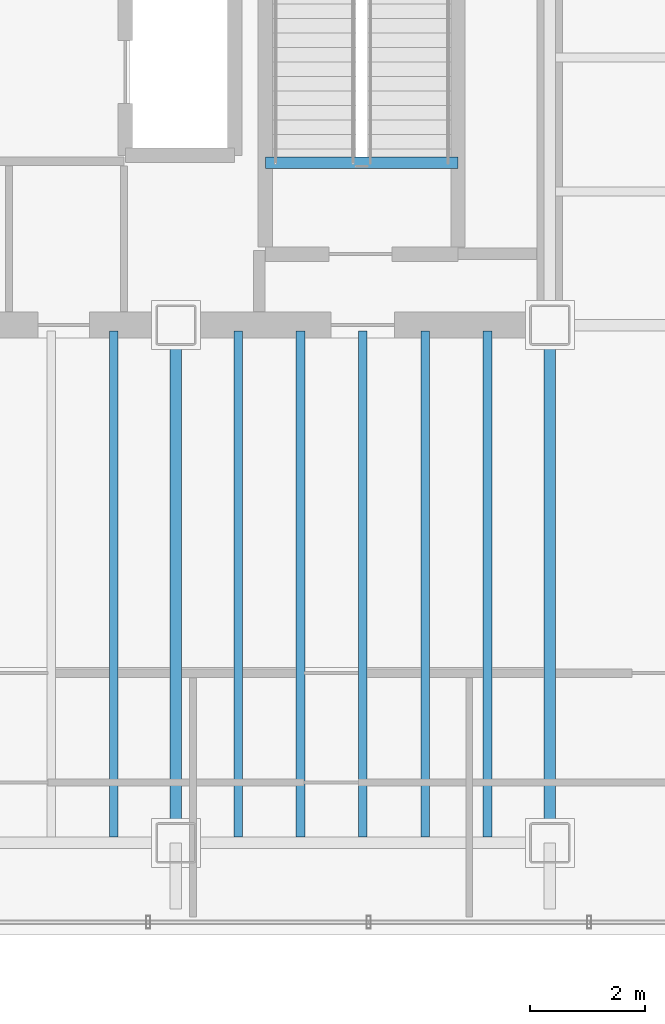
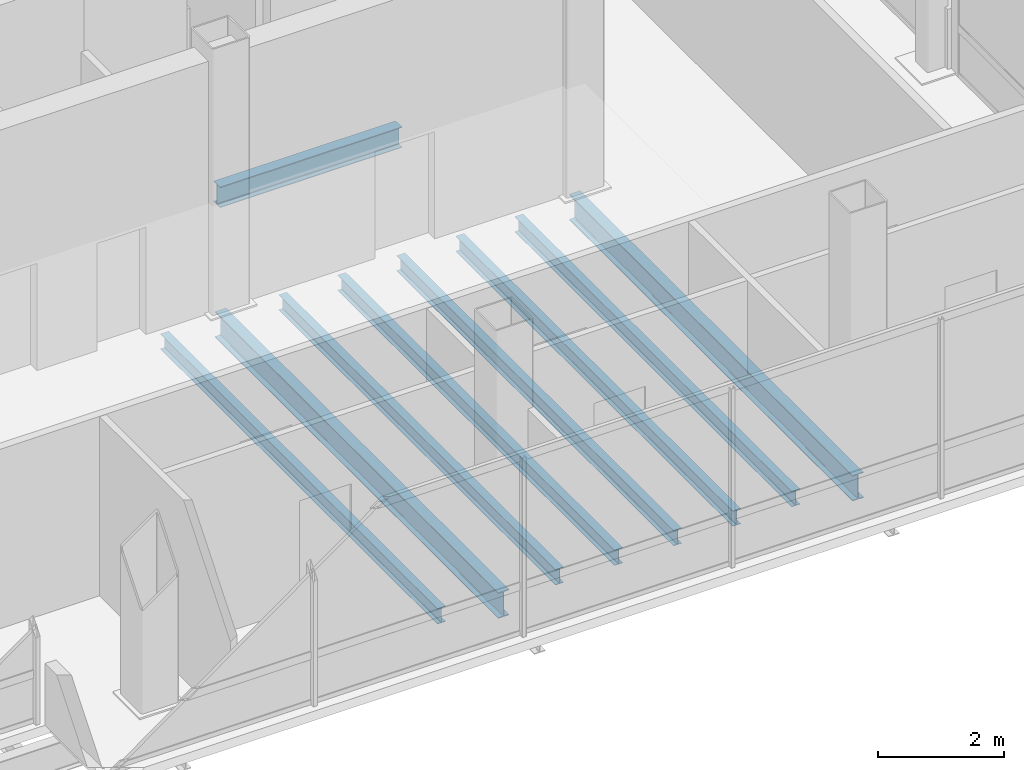
# One storey, part 8 of 17: 9 beams.
"""IFC4 building model written with IfcOpenShell, lengths in metres."""

from ifc_helpers import new_model, si_unit, direction, frame, origin, origin_2d, place, context, subcontext, project, spatial, i_section, extrude, material, material_profile, profile_set, type_object, element, save


model = new_model("IFC4")

# Units and contexts
model_context = context("Model", 3, precision=1e-05, world=origin(), true_north=direction((0.0, 1.0)))
body_context = subcontext(model_context, "Body", "Model", "MODEL_VIEW")
ifc_project = project(units=[si_unit("LENGTHUNIT", "METRE"), si_unit("AREAUNIT", "SQUARE_METRE"), si_unit("VOLUMEUNIT", "CUBIC_METRE"), si_unit("PLANEANGLEUNIT", "RADIAN"), si_unit("MASSUNIT", "GRAM", prefix="KILO")], contexts=[model_context])

# Site, building, storey
site_placement = place(None, origin())
site = spatial("IfcSite", under=ifc_project, at=site_placement, CompositionType="ELEMENT")
building_placement = place(site_placement, origin())
building = spatial("IfcBuilding", under=site, at=building_placement, Name="Noeulbin Bourse Tower", CompositionType="ELEMENT")
storey_placement = place(building_placement, frame((0.0, 0.0, 300.800048828125)))
storey = spatial("IfcBuildingStorey", under=building, at=storey_placement, Name="L75", CompositionType="ELEMENT", Elevation=300.800048828125)

# Beams
ifc_material = material(Name="Steel S355", Category="steel")
ifc_material_profile_1 = material_profile(ifc_material, i_section(OverallWidth=0.199951171875, OverallDepth=0.5, WebThickness=0.010009765625, FlangeThickness=0.01611328125, FilletRadius=0.02001953125, at=origin_2d()), Name="H-500x200x10x16", Category="LoadBearing")
ifc_profile_set_1 = profile_set([ifc_material_profile_1], Name="Steel S355")
beam_type_1 = type_object("IfcBeamType", Name="BM-GRD-500", PredefinedType="USERDEFINED", material=ifc_profile_set_1)
for number, where, z_axis, x_axis, name in (
    (1, (37.5, 20.0, -0.429931640625), (0.0, 1.0, 0.0), (-1.0, 0.0, 0.0), "Tower Primary Girder NS L75-4.2"),
    (2, (44.0, 20.0, -0.429931640625), (0.0, 1.0, 0.0), (-1.0, 0.0, 0.0), "Tower Primary Girder NS L75-5.2"),
):
    element("IfcBeam", number, at=place(storey_placement, frame(where, z_axis=z_axis, x_axis=x_axis)), inside=storey, type_object=beam_type_1, Name=name, ObjectType="GIRDER", PredefinedType="USERDEFINED", context=body_context, shape_type="SweptSolid", body=[
        extrude(i_section(OverallWidth=0.199951171875, OverallDepth=0.5, WebThickness=0.010009765625, FlangeThickness=0.01611328125, FilletRadius=0.02001953125, at=origin_2d()), origin(), (0.0, 0.0, 1.0), 9.0),
    ])
ifc_material_profile_2 = material_profile(ifc_material, i_section(OverallWidth=0.14990234375, OverallDepth=0.300048828125, WebThickness=0.006591796875, FlangeThickness=0.009033203125, FilletRadius=0.012939453125, at=origin_2d()), Name="H-300x150x6.5x9", Category="LoadBearing")
ifc_profile_set_2 = profile_set([ifc_material_profile_2], Name="Steel S355")
beam_type_2 = type_object("IfcBeamType", Name="BM-JST-300", PredefinedType="JOIST", material=ifc_profile_set_2)
for number, where, z_axis, x_axis, name in (
    (3, (36.416748046875, 20.10009765625, -0.330078125), (0.0, 1.0, 0.0), (-1.0, 0.0, 0.0), "Tower Composite Joist L75-19"),
    (4, (38.583251953125, 20.10009765625, -0.330078125), (0.0, 1.0, 0.0), (-1.0, 0.0, 0.0), "Tower Composite Joist L75-21"),
    (5, (39.666748046875, 20.10009765625, -0.330078125), (0.0, 1.0, 0.0), (-1.0, 0.0, 0.0), "Tower Composite Joist L75-23"),
    (6, (40.75, 20.10009765625, -0.330078125), (0.0, 1.0, 0.0), (-1.0, 0.0, 0.0), "Tower Composite Joist L75-25"),
    (7, (41.833251953125, 20.10009765625, -0.330078125), (0.0, 1.0, 0.0), (-1.0, 0.0, 0.0), "Tower Composite Joist L75-27"),
    (8, (42.916748046875, 20.10009765625, -0.330078125), (0.0, 1.0, 0.0), (-1.0, 0.0, 0.0), "Tower Composite Joist L75-29"),
):
    element("IfcBeam", number, at=place(storey_placement, frame(where, z_axis=z_axis, x_axis=x_axis)), inside=storey, type_object=beam_type_2, Name=name, PredefinedType="JOIST", context=body_context, shape_type="SweptSolid", body=[
        extrude(i_section(OverallWidth=0.14990234375, OverallDepth=0.300048828125, WebThickness=0.006591796875, FlangeThickness=0.009033203125, FilletRadius=0.012939453125, at=origin_2d()), origin(), (0.0, 0.0, 1.0), 8.7998046875),
    ])
ifc_material_profile_3 = material_profile(ifc_material, i_section(OverallWidth=0.199951171875, OverallDepth=0.39990234375, WebThickness=0.008056640625, FlangeThickness=0.012939453125, FilletRadius=0.01611328125, at=origin_2d()), Name="H-400x200x8x13", Category="LoadBearing")
ifc_profile_set_3 = profile_set([ifc_material_profile_3], Name="Steel S355")
beam_type_3 = type_object("IfcBeamType", Name="BM-SEC-400", PredefinedType="BEAM", material=ifc_profile_set_3)
beam_placement = place(storey_placement, frame((39.06005859375, 31.820068359375, -0.199951171875), z_axis=(1.0, 0.0, 0.0), x_axis=(0.0, 1.0, 0.0)))
element("IfcBeam", 9, at=beam_placement, inside=storey, type_object=beam_type_3, Name="Stair Threshold Trimmer Beam ST2-L75", PredefinedType="BEAM", context=body_context, shape_type="SweptSolid", body=[
    extrude(i_section(OverallWidth=0.199951171875, OverallDepth=0.39990234375, WebThickness=0.008056640625, FlangeThickness=0.012939453125, FilletRadius=0.01611328125, at=origin_2d()), origin(), (0.0, 0.0, 1.0), 3.33984375),
])

save(model, "model.ifc")
